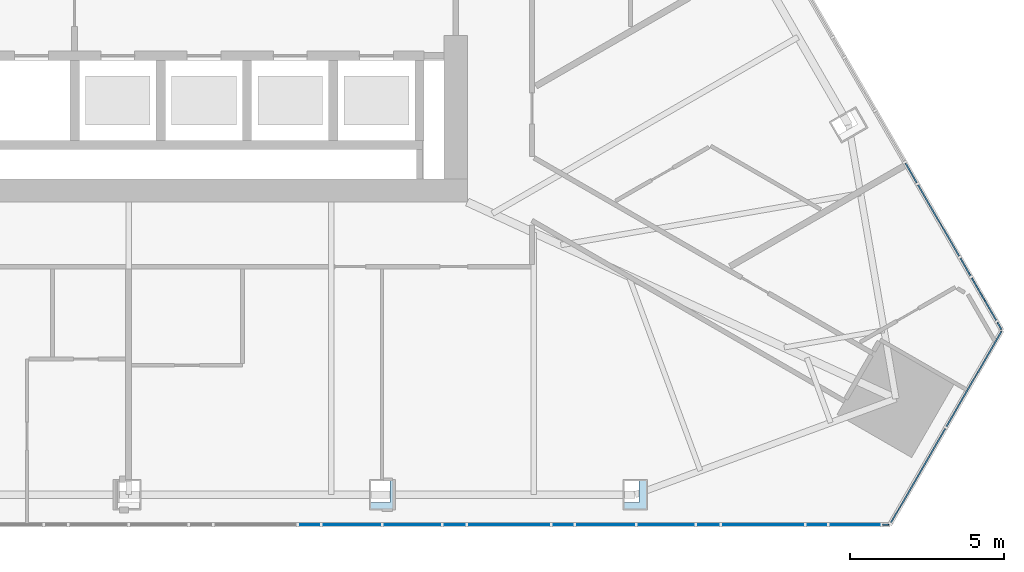
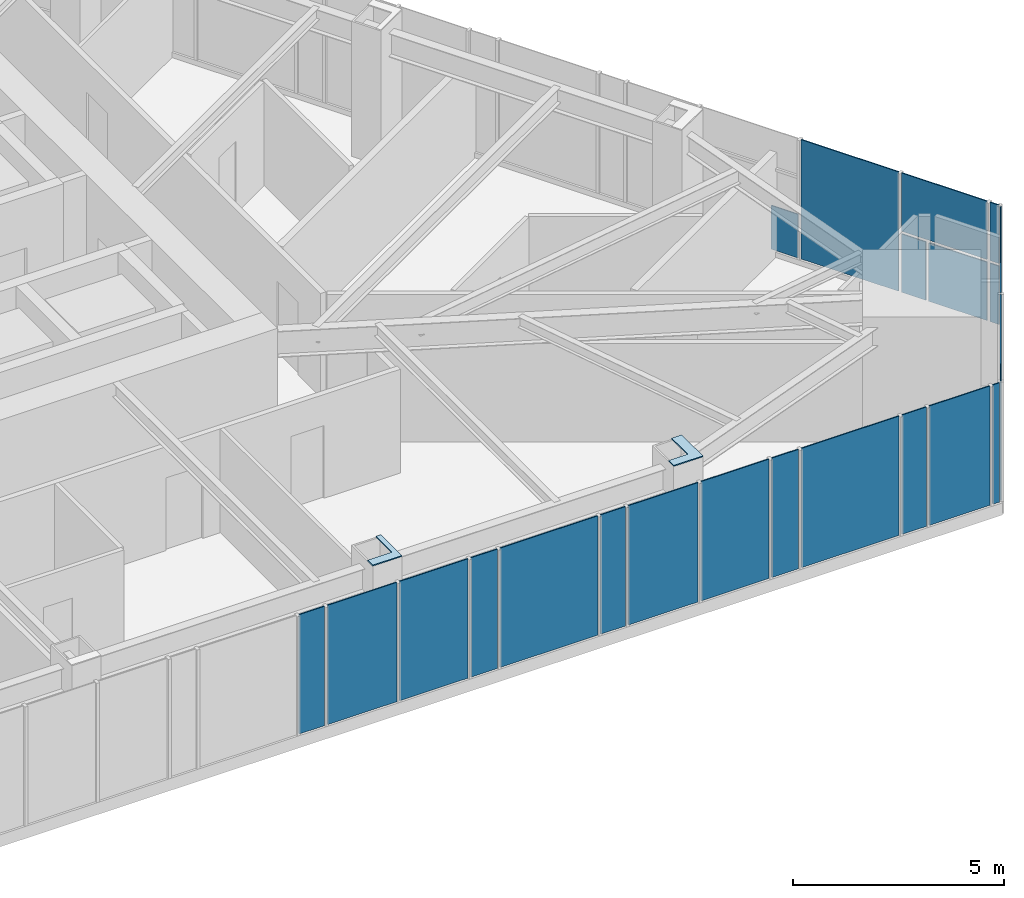
# One storey, part 15 of 24: 24 plates, 3 elements without a shape of their own.
"""IFC4 building model written with IfcOpenShell, lengths in metres."""

from ifc_helpers import new_model, si_unit, direction, frame, origin, place, context, subcontext, project, spatial, polyline, outline, extrude, material, layer, layer_set, type_object, element, aggregate, save


model = new_model("IFC4")

# Units and contexts
model_context = context("Model", 3, precision=1e-05, world=origin(), true_north=direction((0.0, 1.0)))
body_context = subcontext(model_context, "Body", "Model", "MODEL_VIEW")
ifc_project = project(units=[si_unit("LENGTHUNIT", "METRE"), si_unit("AREAUNIT", "SQUARE_METRE"), si_unit("VOLUMEUNIT", "CUBIC_METRE"), si_unit("PLANEANGLEUNIT", "RADIAN"), si_unit("MASSUNIT", "GRAM", prefix="KILO")], contexts=[model_context])

# Site, building, storey
site_placement = place(None, origin())
site = spatial("IfcSite", under=ifc_project, at=site_placement, CompositionType="ELEMENT")
building_placement = place(site_placement, origin())
building = spatial("IfcBuilding", under=site, at=building_placement, Name="Firuza Gate Tower and Library", CompositionType="ELEMENT")
storey_placement = place(building_placement, frame((0.0, 0.0, 237.699951171875)))
storey = spatial("IfcBuildingStorey", under=building, at=storey_placement, Name="L56", CompositionType="ELEMENT", Elevation=237.699951171875)

# Plates
ifc_material_1 = material(Name="Steel S355", Category="steel")
ifc_layer_1 = layer(ifc_material_1, 0.030029296875)
ifc_layer_set_1 = layer_set([ifc_layer_1], Name="Column infill plate 30 Steel S355")
plate_type_1 = type_object("IfcPlateType", Name="Column infill plate 30 Steel S355", PredefinedType="SHEET", material=ifc_layer_set_1)
placement_1 = place(storey_placement, frame((0.0, 0.0, 3.900146484375)))
element("IfcPlate", 1, at=placement_1, inside=storey, type_object=plate_type_1, Name="Infill plate L56:S4", PredefinedType="SHEET", context=body_context, shape_type="SweptSolid", body=[
    extrude(outline(polyline([(83.62548828125, 57.99609375), (83.487548828125, 57.99609375), (83.487548828125, 57.235107421875), (82.825439453125, 57.235107421875), (82.825439453125, 56.99609375), (83.62548828125, 56.99609375), (83.62548828125, 57.99609375)])), origin(), (0.0, 0.0, 1.0), 0.02978515625),
])
element("IfcPlate", 2, at=placement_1, inside=storey, type_object=plate_type_1, Name="Infill plate L56:S5", PredefinedType="SHEET", context=body_context, shape_type="SweptSolid", body=[
    extrude(outline(polyline([(91.85107421875, 57.99609375), (91.574951171875, 57.99609375), (91.574951171875, 57.235107421875), (91.051025390625, 57.235107421875), (91.051025390625, 56.99609375), (91.85107421875, 56.99609375), (91.85107421875, 57.99609375)])), origin(), (0.0, 0.0, 1.0), 0.02978515625),
])

# Curtain wall, plates
ifc_material_2 = material(Name="Aluminium 6063-T6", Category="aluminium")
ifc_layer_2 = layer(ifc_material_2, 0.14990234375)
ifc_layer_set_2 = layer_set([ifc_layer_2], Name="Corner curtain wall, chamfers")
curtain_wall_type_1 = type_object("IfcCurtainWallType", Name="Corner curtain wall, chamfers", PredefinedType="NOTDEFINED", material=ifc_layer_set_2)
placement_2 = place(storey_placement, origin())
curtain_wall_1 = element("IfcCurtainWall", 3, at=placement_2, inside=storey, type_object=curtain_wall_type_1, Name="CW4 L56 SE corner", PredefinedType="NOTDEFINED")
ifc_material_3 = material(Name="Fritted glass", Category="glass")
ifc_layer_3 = layer(ifc_material_3, 0.030029296875)
ifc_layer_set_3 = layer_set([ifc_layer_3], Name="Fritted glass unit, corners")
plate_type_2 = type_object("IfcPlateType", Name="Fritted glass unit, corners", PredefinedType="CURTAIN_PANEL", material=ifc_layer_set_3)
plate_3_placement = place(storey_placement, frame((99.7529296875, 56.548095703125, 0.150146484375), z_axis=(0.866016723041, -0.500015035186, 0.0), x_axis=(0.500015035186, 0.866016723041, 0.0)))
plate_3 = element("IfcPlate", 4, at=plate_3_placement, type_object=plate_type_2, Name="Glass unit", PredefinedType="CURTAIN_PANEL", context=body_context, shape_type="SweptSolid", body=[
    extrude(outline(polyline([(0.0, 0.0), (3.5633694106530625, 0.0), (3.5633694106530625, 3.449951171875), (0.0, 3.449951171875), (0.0, 0.0)])), origin(), (0.0, 0.0, -1.0), 0.030029296875),
])
plate_4_placement = place(storey_placement, frame((101.574462890625, 59.703369140625, 0.150146484375), z_axis=(0.866016723041, -0.500015035186, 0.0), x_axis=(0.500015035186, 0.866016723041, 0.0)))
plate_4 = element("IfcPlate", 5, at=plate_4_placement, type_object=plate_type_2, Name="Glass unit", PredefinedType="CURTAIN_PANEL", context=body_context, shape_type="SweptSolid", body=[
    extrude(outline(polyline([(0.0, 0.0), (3.5633694106530625, 0.0), (3.5633694106530625, 3.449951171875), (0.0, 3.449951171875), (0.0, 0.0)])), origin(), (0.0, 0.0, -1.0), 0.030029296875),
])
aggregate(curtain_wall_1, [plate_3, plate_4])

ifc_material_4 = material(Name="Aluminium 6063-T6", Category="aluminium")
ifc_layer_4 = layer(ifc_material_4, 0.14990234375)
ifc_layer_set_4 = layer_set([ifc_layer_4], Name="Unitised curtain wall, hotel")
curtain_wall_type_2 = type_object("IfcCurtainWallType", Name="Unitised curtain wall, hotel", PredefinedType="NOTDEFINED", material=ifc_layer_set_4)
curtain_wall_2 = element("IfcCurtainWall", 6, at=placement_2, inside=storey, type_object=curtain_wall_type_2, Name="CW2 L56 S face", PredefinedType="NOTDEFINED")
ifc_material_5 = material(Name="Fritted glass", Category="glass")
ifc_layer_5 = layer(ifc_material_5, 0.030029296875)
ifc_layer_set_5 = layer_set([ifc_layer_5], Name="Fritted glass unit, hotel")
plate_type_3 = type_object("IfcPlateType", Name="Fritted glass unit, hotel", PredefinedType="CURTAIN_PANEL", material=ifc_layer_set_5)
plate_5_placement = place(storey_placement, frame((81.303955078125, 56.506103515625, 0.150146484375), z_axis=(0.0, -1.0, 0.0), x_axis=(1.0, 0.0, 0.0)))
plate_5 = element("IfcPlate", 7, at=plate_5_placement, type_object=plate_type_3, Name="Glass unit", PredefinedType="CURTAIN_PANEL", context=body_context, shape_type="SweptSolid", body=[
    extrude(outline(polyline([(0.0, 0.0), (1.89599609375, 0.0), (1.89599609375, 3.449951171875), (0.0, 3.449951171875), (0.0, 0.0)])), origin(), (0.0, 0.0, -1.0), 0.030029296875),
])
plate_6_placement = place(storey_placement, frame((83.280029296875, 56.506103515625, 0.150146484375), z_axis=(0.0, -1.0, 0.0), x_axis=(1.0, 0.0, 0.0)))
plate_6 = element("IfcPlate", 8, at=plate_6_placement, type_object=plate_type_3, Name="Glass unit", PredefinedType="CURTAIN_PANEL", context=body_context, shape_type="SweptSolid", body=[
    extrude(outline(polyline([(0.0, 0.0), (1.8671875, 0.0), (1.8671875, 3.449951171875), (0.0, 3.449951171875), (0.0, 0.0)])), origin(), (0.0, 0.0, -1.0), 0.030029296875),
])
plate_7_placement = place(storey_placement, frame((89.529541015625, 56.506103515625, 0.150146484375), z_axis=(0.0, -1.0, 0.0), x_axis=(1.0, 0.0, 0.0)))
plate_7 = element("IfcPlate", 9, at=plate_7_placement, type_object=plate_type_3, Name="Glass unit", PredefinedType="CURTAIN_PANEL", context=body_context, shape_type="SweptSolid", body=[
    extrude(outline(polyline([(0.0, 0.0), (1.910400390625, 0.0), (1.910400390625, 3.449951171875), (0.0, 3.449951171875), (0.0, 0.0)])), origin(), (0.0, 0.0, -1.0), 0.030029296875),
])
plate_8_placement = place(storey_placement, frame((91.52001953125, 56.506103515625, 0.150146484375), z_axis=(0.0, -1.0, 0.0), x_axis=(1.0, 0.0, 0.0)))
plate_8 = element("IfcPlate", 10, at=plate_8_placement, type_object=plate_type_3, Name="Glass unit", PredefinedType="CURTAIN_PANEL", context=body_context, shape_type="SweptSolid", body=[
    extrude(outline(polyline([(0.0, 0.0), (1.8525390625, 0.0), (1.8525390625, 3.449951171875), (0.0, 3.449951171875), (0.0, 0.0)])), origin(), (0.0, 0.0, -1.0), 0.030029296875),
])
plate_9_placement = place(storey_placement, frame((97.755126953125, 56.506103515625, 0.150146484375), z_axis=(0.0, -1.0, 0.0), x_axis=(1.0, 0.0, 0.0)))
plate_9 = element("IfcPlate", 11, at=plate_9_placement, type_object=plate_type_3, Name="Glass unit", PredefinedType="CURTAIN_PANEL", context=body_context, shape_type="SweptSolid", body=[
    extrude(outline(polyline([(0.0, 0.0), (1.65869140625, 0.0), (1.65869140625, 3.449951171875), (0.0, 3.449951171875), (0.0, 0.0)])), origin(), (0.0, 0.0, -1.0), 0.030029296875),
])

curtain_wall_3 = element("IfcCurtainWall", 12, at=placement_2, inside=storey, type_object=curtain_wall_type_2, Name="CW2 L56 E face", PredefinedType="NOTDEFINED")
plate_10_placement = place(storey_placement, frame((103.190673828125, 63.160400390625, 0.150146484375), z_axis=(0.866009553984, 0.500027451655, 0.0), x_axis=(-0.500027451655, 0.866009553984, 0.0)))
plate_10 = element("IfcPlate", 13, at=plate_10_placement, type_object=plate_type_3, Name="Glass unit", PredefinedType="CURTAIN_PANEL", context=body_context, shape_type="SweptSolid", body=[
    extrude(outline(polyline([(0.0, 0.0), (1.593662502654529, 0.0), (1.593662502654529, 1.684814453125), (0.0, 1.684814453125), (0.0, 0.0)])), origin(), (0.0, 0.0, -1.0), 0.030029296875),
])
plate_11_placement = place(storey_placement, frame((103.190673828125, 63.160400390625, 1.9150390625), z_axis=(0.866014975334, 0.500018062171, 0.0), x_axis=(-0.500018062171, 0.866014975334, 0.0)))
plate_11 = element("IfcPlate", 14, at=plate_11_placement, type_object=plate_type_3, Name="Glass unit", PredefinedType="CURTAIN_PANEL", context=body_context, shape_type="SweptSolid", body=[
    extrude(outline(polyline([(0.0, 0.0), (2.335364855232127, 0.0), (2.335364855232127, 1.68505859375), (0.0, 1.68505859375), (0.0, 0.0)])), origin(), (0.0, 0.0, -1.0), 0.030029296875),
])

# Plate
ifc_material_6 = material(Name="Glazed ceramic tile")
ifc_layer_6 = layer(ifc_material_6, 0.030029296875)
ifc_layer_set_6 = layer_set([ifc_layer_6], Name="Opaque ceramic panel, hotel")
plate_type_4 = type_object("IfcPlateType", Name="Opaque ceramic panel, hotel", PredefinedType="CURTAIN_PANEL", material=ifc_layer_set_6)
plate_12_placement = place(storey_placement, frame((80.533203125, 56.506103515625, 0.150146484375), z_axis=(0.0, -1.0, 0.0), x_axis=(1.0, 0.0, 0.0)))
plate_12 = element("IfcPlate", 15, at=plate_12_placement, type_object=plate_type_4, Name="Opaque ceramic panel", PredefinedType="CURTAIN_PANEL", context=body_context, shape_type="SweptSolid", body=[
    extrude(outline(polyline([(0.0, 0.0), (0.690673828125, 0.0), (0.690673828125, 3.449951171875), (0.0, 3.449951171875), (0.0, 0.0)])), origin(), (0.0, 0.0, -1.0), 0.030029296875),
])

plate_13_placement = place(storey_placement, frame((85.22705078125, 56.506103515625, 0.150146484375), z_axis=(0.0, -1.0, 0.0), x_axis=(1.0, 0.0, 0.0)))
plate_13 = element("IfcPlate", 16, at=plate_13_placement, type_object=plate_type_4, Name="Opaque ceramic panel", PredefinedType="CURTAIN_PANEL", context=body_context, shape_type="SweptSolid", body=[
    extrude(outline(polyline([(0.0, 0.0), (0.719482421875, 0.0), (0.719482421875, 3.449951171875), (0.0, 3.449951171875), (0.0, 0.0)])), origin(), (0.0, 0.0, -1.0), 0.030029296875),
])

plate_14_placement = place(storey_placement, frame((86.026611328125, 56.506103515625, 0.150146484375), z_axis=(0.0, -1.0, 0.0), x_axis=(1.0, 0.0, 0.0)))
plate_14 = element("IfcPlate", 17, at=plate_14_placement, type_object=plate_type_4, Name="Opaque ceramic panel", PredefinedType="CURTAIN_PANEL", context=body_context, shape_type="SweptSolid", body=[
    extrude(outline(polyline([(0.0, 0.0), (2.666748046875, 0.0), (2.666748046875, 3.449951171875), (0.0, 3.449951171875), (0.0, 0.0)])), origin(), (0.0, 0.0, -1.0), 0.030029296875),
])

plate_15_placement = place(storey_placement, frame((88.773193359375, 56.506103515625, 0.150146484375), z_axis=(0.0, -1.0, 0.0), x_axis=(1.0, 0.0, 0.0)))
plate_15 = element("IfcPlate", 18, at=plate_15_placement, type_object=plate_type_4, Name="Opaque ceramic panel", PredefinedType="CURTAIN_PANEL", context=body_context, shape_type="SweptSolid", body=[
    extrude(outline(polyline([(0.0, 0.0), (0.67626953125, 0.0), (0.67626953125, 3.449951171875), (0.0, 3.449951171875), (0.0, 0.0)])), origin(), (0.0, 0.0, -1.0), 0.030029296875),
])

plate_16_placement = place(storey_placement, frame((93.45263671875, 56.506103515625, 0.150146484375), z_axis=(0.0, -1.0, 0.0), x_axis=(1.0, 0.0, 0.0)))
plate_16 = element("IfcPlate", 19, at=plate_16_placement, type_object=plate_type_4, Name="Opaque ceramic panel", PredefinedType="CURTAIN_PANEL", context=body_context, shape_type="SweptSolid", body=[
    extrude(outline(polyline([(0.0, 0.0), (0.73388671875, 0.0), (0.73388671875, 3.449951171875), (0.0, 3.449951171875), (0.0, 0.0)])), origin(), (0.0, 0.0, -1.0), 0.030029296875),
])

plate_17_placement = place(storey_placement, frame((94.2666015625, 56.506103515625, 0.150146484375), z_axis=(0.0, -1.0, 0.0), x_axis=(1.0, 0.0, 0.0)))
plate_17 = element("IfcPlate", 20, at=plate_17_placement, type_object=plate_type_4, Name="Opaque ceramic panel", PredefinedType="CURTAIN_PANEL", context=body_context, shape_type="SweptSolid", body=[
    extrude(outline(polyline([(0.0, 0.0), (2.666748046875, 0.0), (2.666748046875, 3.449951171875), (0.0, 3.449951171875), (0.0, 0.0)])), origin(), (0.0, 0.0, -1.0), 0.030029296875),
])

plate_18_placement = place(storey_placement, frame((97.01318359375, 56.506103515625, 0.150146484375), z_axis=(0.0, -1.0, 0.0), x_axis=(1.0, 0.0, 0.0)))
plate_18 = element("IfcPlate", 21, at=plate_18_placement, type_object=plate_type_4, Name="Opaque ceramic panel", PredefinedType="CURTAIN_PANEL", context=body_context, shape_type="SweptSolid", body=[
    extrude(outline(polyline([(0.0, 0.0), (0.661865234375, 0.0), (0.661865234375, 3.449951171875), (0.0, 3.449951171875), (0.0, 0.0)])), origin(), (0.0, 0.0, -1.0), 0.030029296875),
])

plate_19_placement = place(storey_placement, frame((99.493896484375, 56.506103515625, 0.150146484375), z_axis=(0.0, -1.0, 0.0), x_axis=(1.0, 0.0, 0.0)))
plate_19 = element("IfcPlate", 22, at=plate_19_placement, type_object=plate_type_4, Name="Opaque ceramic panel", PredefinedType="CURTAIN_PANEL", context=body_context, shape_type="SweptSolid", body=[
    extrude(outline(polyline([(0.0, 0.0), (0.18603515625, 0.0), (0.18603515625, 3.449951171875), (0.0, 3.449951171875), (0.0, 0.0)])), origin(), (0.0, 0.0, -1.0), 0.030029296875),
])

aggregate(curtain_wall_2, [plate_12, plate_5, plate_6, plate_13, plate_14, plate_15, plate_7, plate_8, plate_16, plate_17, plate_18, plate_9, plate_19])

plate_20_placement = place(storey_placement, frame((103.356201171875, 62.87353515625, 0.150146484375), z_axis=(0.866201770413, 0.499694399542, 0.0), x_axis=(-0.499694399542, 0.866201770413, 0.0)))
plate_20 = element("IfcPlate", 23, at=plate_20_placement, type_object=plate_type_4, Name="Opaque ceramic panel", PredefinedType="CURTAIN_PANEL", context=body_context, shape_type="SweptSolid", body=[
    extrude(outline(polyline([(0.0, 0.0), (0.25113005341856437, 0.0), (0.25113005341856437, 1.684814453125), (0.0, 1.684814453125), (0.0, 0.0)])), origin(), (0.0, 0.0, -1.0), 0.030029296875),
])

plate_21_placement = place(storey_placement, frame((102.353759765625, 64.60986328125, 0.150146484375), z_axis=(0.866031967744, 0.499988630717, 0.0), x_axis=(-0.499988630717, 0.866031967744, 0.0)))
plate_21 = element("IfcPlate", 24, at=plate_21_placement, type_object=plate_type_4, Name="Opaque ceramic panel", PredefinedType="CURTAIN_PANEL", context=body_context, shape_type="SweptSolid", body=[
    extrude(outline(polyline([(0.0, 0.0), (0.6616361384071319, 0.0), (0.6616361384071319, 1.6848144531250004), (0.0, 1.6848144531250004), (0.0, 0.0)])), origin(), (0.0, 0.0, -1.0), 0.030029296875),
])

plate_22_placement = place(storey_placement, frame((103.356201171875, 62.87353515625, 1.9150390625), z_axis=(0.866201770413, 0.499694399542, 0.0), x_axis=(-0.499694399542, 0.866201770413, 0.0)))
plate_22 = element("IfcPlate", 25, at=plate_22_placement, type_object=plate_type_4, Name="Opaque ceramic panel", PredefinedType="CURTAIN_PANEL", context=body_context, shape_type="SweptSolid", body=[
    extrude(outline(polyline([(0.0, 0.0), (0.25113005341856437, 0.0), (0.25113005341856437, 1.68505859375), (0.0, 1.68505859375), (0.0, 0.0)])), origin(), (0.0, 0.0, -1.0), 0.030029296875),
])

plate_23_placement = place(storey_placement, frame((101.98291015625, 65.252197265625, 0.150146484375), z_axis=(0.866031596129, 0.499989274391, 0.0), x_axis=(-0.499989274391, 0.866031596129, 0.0)))
plate_23 = element("IfcPlate", 26, at=plate_23_placement, type_object=plate_type_4, Name="Opaque ceramic panel", PredefinedType="CURTAIN_PANEL", context=body_context, shape_type="SweptSolid", body=[
    extrude(outline(polyline([(0.0, 0.0), (2.6665611072350224, 0.0), (2.6665611072350224, 3.449951171875), (0.0, 3.449951171875), (0.0, 0.0)])), origin(), (0.0, 0.0, -1.0), 0.030029296875),
])

plate_24_placement = place(storey_placement, frame((100.609619140625, 67.630859375, 0.150146484375), z_axis=(0.866085900082, 0.499895202697, 0.0), x_axis=(-0.499895202697, 0.866085900082, 0.0)))
plate_24 = element("IfcPlate", 27, at=plate_24_placement, type_object=plate_type_4, Name="Opaque ceramic panel", PredefinedType="CURTAIN_PANEL", context=body_context, shape_type="SweptSolid", body=[
    extrude(outline(polyline([(0.0, 0.0), (0.7340405696940024, 0.0), (0.7340405696940024, 1.260009765625), (0.0, 1.260009765625), (0.0, 0.0)])), origin(), (0.0, 0.0, -1.0), 0.030029296875),
])

aggregate(curtain_wall_3, [plate_20, plate_10, plate_21, plate_22, plate_11, plate_23, plate_24])

save(model, "model.ifc")
